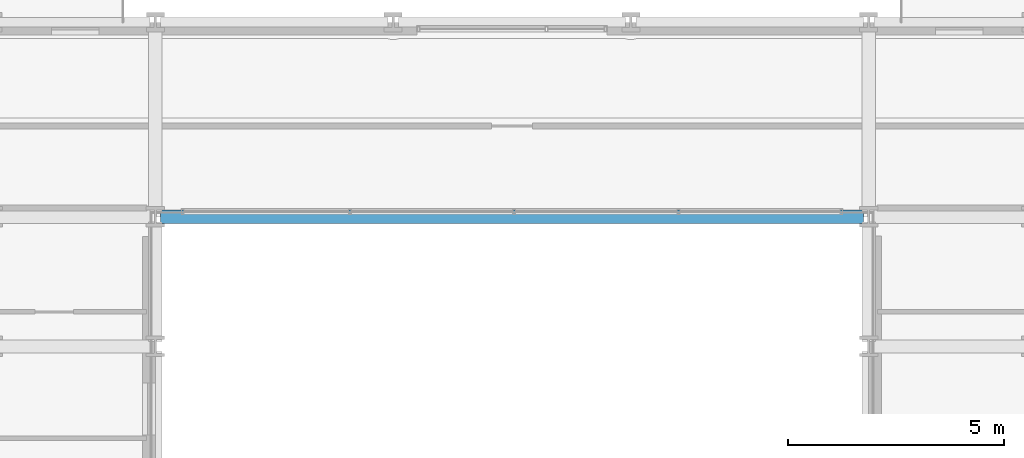
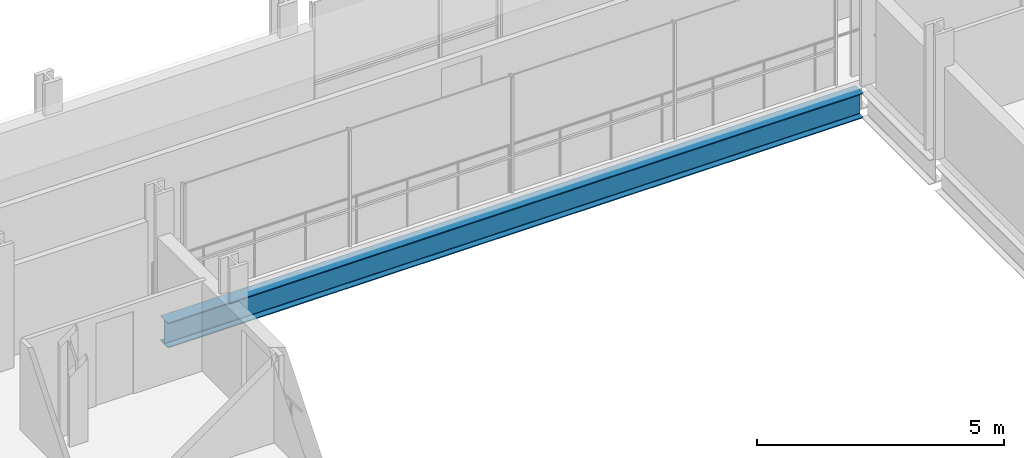
# One storey, part 10 of 38: 1 beam.
"""IFC4 building model written with IfcOpenShell, lengths in metres."""

from ifc_helpers import new_model, si_unit, direction, frame, origin, origin_2d, place, context, subcontext, project, spatial, i_section, extrude, material, material_profile, profile_set, type_object, element, save


model = new_model("IFC4")

# Units and contexts
model_context = context("Model", 3, precision=1e-05, world=origin(), true_north=direction((0.0, 1.0)))
body_context = subcontext(model_context, "Body", "Model", "MODEL_VIEW")
ifc_project = project(units=[si_unit("LENGTHUNIT", "METRE"), si_unit("AREAUNIT", "SQUARE_METRE"), si_unit("VOLUMEUNIT", "CUBIC_METRE"), si_unit("PLANEANGLEUNIT", "RADIAN"), si_unit("MASSUNIT", "GRAM", prefix="KILO")], contexts=[model_context])

# Site, building, storey
site_placement = place(None, origin())
site = spatial("IfcSite", under=ifc_project, at=site_placement, CompositionType="ELEMENT")
building_placement = place(site_placement, origin())
building = spatial("IfcBuilding", under=site, at=building_placement, Name="Brevholm Reach", CompositionType="ELEMENT")
storey_placement = place(building_placement, frame((0.0, 0.0, 59.0)))
storey = spatial("IfcBuildingStorey", under=building, at=storey_placement, Name="L16", CompositionType="ELEMENT", Elevation=59.0)

# Beam
ifc_material = material(Name="Structural Steel S355J2", Category="steel")
ifc_material_profile = material_profile(ifc_material, i_section(OverallWidth=0.30712890625, OverallDepth=0.6201171875, WebThickness=0.01416015625, FlangeThickness=0.023681640625, FilletRadius=0.0166015625, at=origin_2d()), Name="UKB 610x305x179")
ifc_profile_set = profile_set([ifc_material_profile], Name="Structural Steel S355J2")
beam_type = type_object("IfcBeamType", Name="BM-UKB610H", PredefinedType="USERDEFINED", material=ifc_profile_set)
beam_placement = place(storey_placement, frame((21.8701171875, 26.5, -0.5400390625), z_axis=(1.0, 0.0, 0.0), x_axis=(0.0, 1.0, 0.0)))
element("IfcBeam", 1, at=beam_placement, inside=storey, type_object=beam_type, Name="L16 G-06 Framing Beam", ObjectType="GIRDER", PredefinedType="USERDEFINED", context=body_context, shape_type="SweptSolid", body=[
    extrude(i_section(OverallWidth=0.30712890625, OverallDepth=0.6201171875, WebThickness=0.01416015625, FlangeThickness=0.023681640625, FilletRadius=0.0166015625, at=origin_2d()), origin(), (0.0, 0.0, 1.0), 16.259765625),
])

save(model, "model.ifc")
